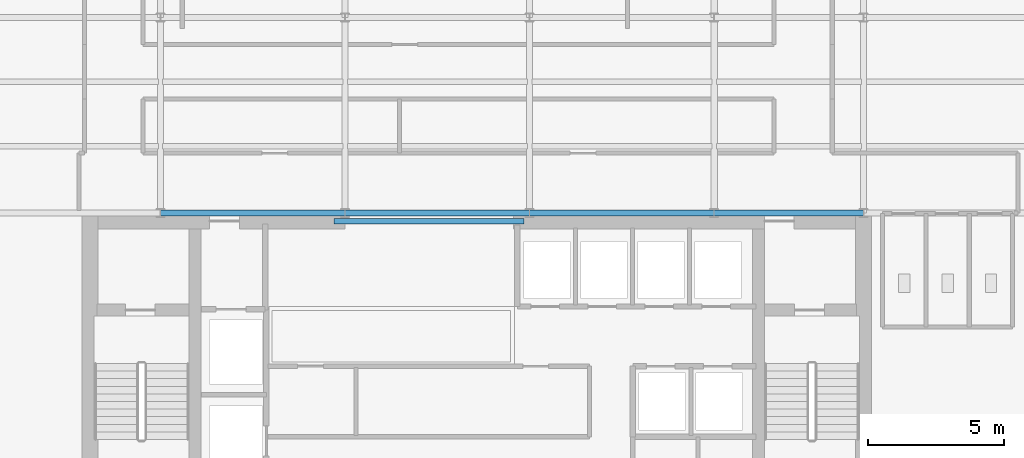
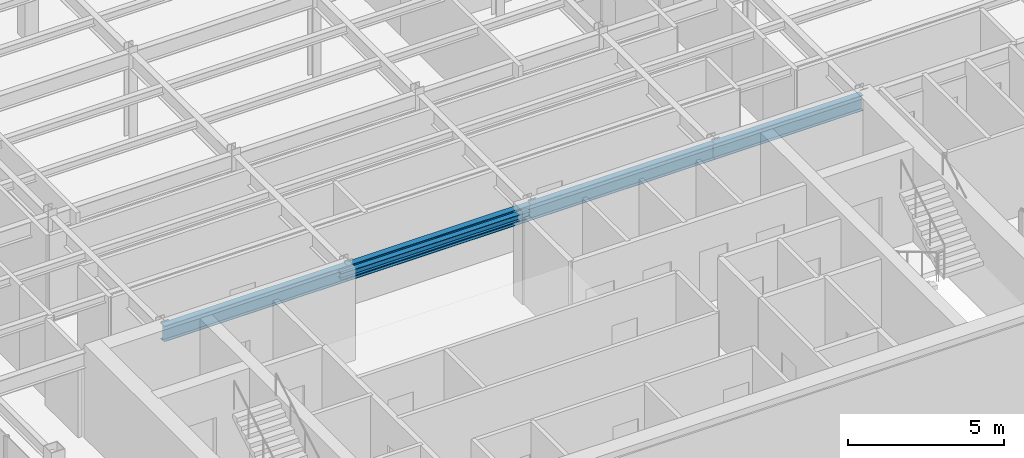
# One storey, part 4 of 22: 5 beams.
"""IFC4 building model written with IfcOpenShell, lengths in metres."""

from ifc_helpers import new_model, si_unit, derived_unit, direction, frame, origin, origin_2d, place, context, subcontext, project, spatial, i_section, extrude, source, transform, mapped, material, material_profile, profile_set, type_object, element, save


model = new_model("IFC4")

# Units and contexts
model_context = context("Model", 3, precision=1e-05, world=origin(), true_north=direction((0.0, 1.0)))
body_context = subcontext(model_context, "Body", "Model", "MODEL_VIEW")
ifc_project = project(units=[si_unit("LENGTHUNIT", "METRE"), si_unit("AREAUNIT", "SQUARE_METRE"), si_unit("VOLUMEUNIT", "CUBIC_METRE"), si_unit("PLANEANGLEUNIT", "RADIAN"), si_unit("MASSUNIT", "GRAM", prefix="KILO"), derived_unit("THERMALTRANSMITTANCEUNIT", [(si_unit("POWERUNIT", "WATT"), 1), (si_unit("LENGTHUNIT", "METRE"), -2), (si_unit("THERMODYNAMICTEMPERATUREUNIT", "KELVIN"), -1)])], contexts=[model_context])

# Site, building, storey
site_placement = place(None, origin())
site = spatial("IfcSite", under=ifc_project, at=site_placement, CompositionType="ELEMENT")
building_placement = place(site_placement, origin())
building = spatial("IfcBuilding", under=site, at=building_placement, Name="Skarnbrae Concourse Arena and Tower", CompositionType="ELEMENT")
storey_placement = place(building_placement, frame((0.0, 0.0, 284.35009765625)))
storey = spatial("IfcBuildingStorey", under=building, at=storey_placement, Name="L74", CompositionType="ELEMENT", Elevation=284.35009765625)

# Beams
ifc_material = material(Name="Steel CSA G40.21 350W", Category="steel")
ifc_material_profile_1 = material_profile(ifc_material, i_section(OverallWidth=0.202880859375, OverallDepth=0.251953125, WebThickness=0.008056640625, FlangeThickness=0.013427734375, at=origin_2d()), Name="W250X58")
ifc_profile_set_1 = profile_set([ifc_material_profile_1], Name="Steel CSA G40.21 350W")
beam_type_1 = type_object("IfcBeamType", Name="BM-LINTEL-W250X58", PredefinedType="LINTEL", material=ifc_profile_set_1)
shared_shape_1 = source(origin(), body_context, "Body", "SweptSolid", [
    extrude(i_section(OverallWidth=0.202880859375, OverallDepth=0.251953125, WebThickness=0.008056640625, FlangeThickness=0.013427734375, at=origin_2d()), origin(), (0.0, 0.0, 1.0), 7.0),
])
beam_1_placement = place(storey_placement, frame((14.0, 13.699951171875, 3.27392578125), z_axis=(1.0, 0.0, 0.0), x_axis=(0.0, 1.0, 0.0)))
element("IfcBeam", 1, at=beam_1_placement, inside=storey, type_object=beam_type_1, Name="L74 Core portal coupling lintel", PredefinedType="LINTEL", context=body_context, shape_type="MappedRepresentation", body=[
    mapped(shared_shape_1, transform((0.0, 0.0, 0.0))),
])
ifc_material_profile_2 = material_profile(ifc_material, i_section(OverallWidth=0.22802734375, OverallDepth=0.60791015625, WebThickness=0.01123046875, FlangeThickness=0.017333984375, at=origin_2d()), Name="W610X113")
ifc_profile_set_2 = profile_set([ifc_material_profile_2], Name="Steel CSA G40.21 350W")
beam_type_2 = type_object("IfcBeamType", Name="BM-GIRD-W610X113", PredefinedType="BEAM", material=ifc_profile_set_2)
shared_shape_2 = source(origin(), body_context, "Body", "SweptSolid", [
    extrude(i_section(OverallWidth=0.22802734375, OverallDepth=0.60791015625, WebThickness=0.01123046875, FlangeThickness=0.017333984375, at=origin_2d()), origin(), (0.0, 0.0, 1.0), 6.7998046875),
])
beam_2_placement = place(storey_placement, frame((7.60009765625, 14.0, 3.095947265625), z_axis=(1.0, 0.0, 0.0), x_axis=(0.0, 1.0, 0.0)))
element("IfcBeam", 2, at=beam_2_placement, inside=storey, type_object=beam_type_2, Name="L74 Primary E-W girder Y14.0-2", PredefinedType="BEAM", context=body_context, shape_type="MappedRepresentation", body=[
    mapped(shared_shape_2, transform((0.0, 0.0, 0.0))),
])
shared_shape_3 = source(origin(), body_context, "Body", "SweptSolid", [
    extrude(i_section(OverallWidth=0.22802734375, OverallDepth=0.60791015625, WebThickness=0.01123046875, FlangeThickness=0.017333984375, at=origin_2d()), origin(), (0.0, 0.0, 1.0), 6.800048828125),
])
for number, where, z_axis, x_axis, name in (
    (3, (14.39990234375, 14.0, 3.095947265625), (1.0, 0.0, 0.0), (0.0, 1.0, 0.0), "L74 Primary E-W girder Y14.0-3"),
    (4, (21.199951171875, 14.0, 3.095947265625), (1.0, 0.0, 0.0), (0.0, 1.0, 0.0), "L74 Primary E-W girder Y14.0-4"),
):
    element("IfcBeam", number, at=place(storey_placement, frame(where, z_axis=z_axis, x_axis=x_axis)), inside=storey, type_object=beam_type_2, Name=name, PredefinedType="BEAM", context=body_context, shape_type="MappedRepresentation", body=[
        mapped(shared_shape_3, transform((0.0, 0.0, 0.0))),
    ])
shared_shape_4 = source(origin(), body_context, "Body", "SweptSolid", [
    extrude(i_section(OverallWidth=0.22802734375, OverallDepth=0.60791015625, WebThickness=0.01123046875, FlangeThickness=0.017333984375, at=origin_2d()), origin(), (0.0, 0.0, 1.0), 5.5),
])
beam_3_placement = place(storey_placement, frame((28.0, 14.0, 3.095947265625), z_axis=(1.0, 0.0, 0.0), x_axis=(0.0, 1.0, 0.0)))
element("IfcBeam", 5, at=beam_3_placement, inside=storey, type_object=beam_type_2, Name="L74 Primary E-W girder Y14.0-5", PredefinedType="BEAM", context=body_context, shape_type="MappedRepresentation", body=[
    mapped(shared_shape_4, transform((0.0, 0.0, 0.0))),
])

save(model, "model.ifc")
